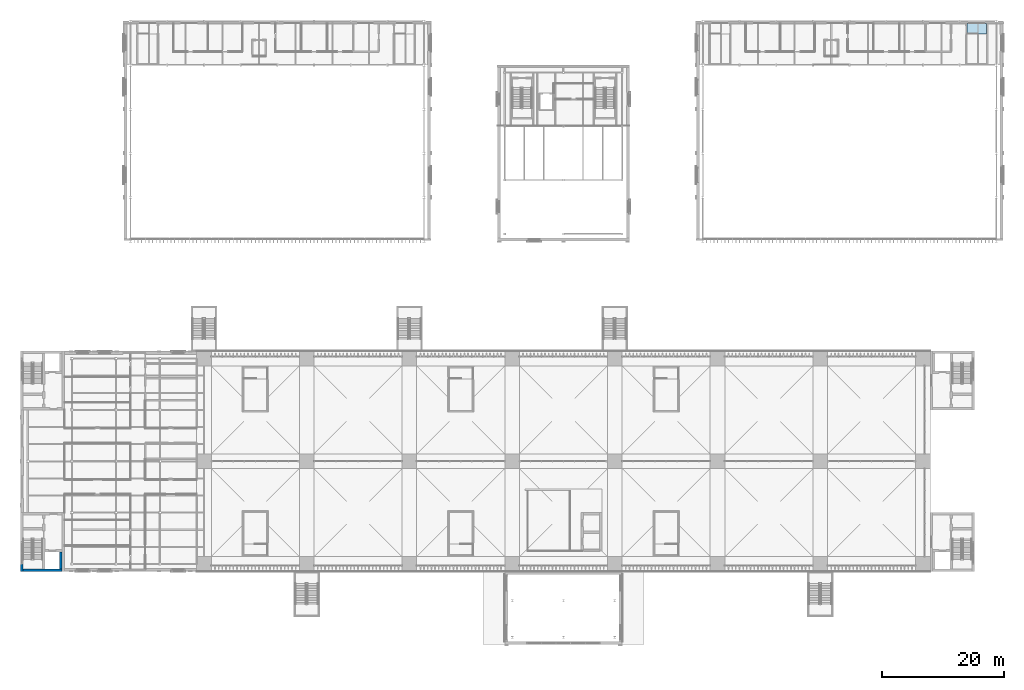
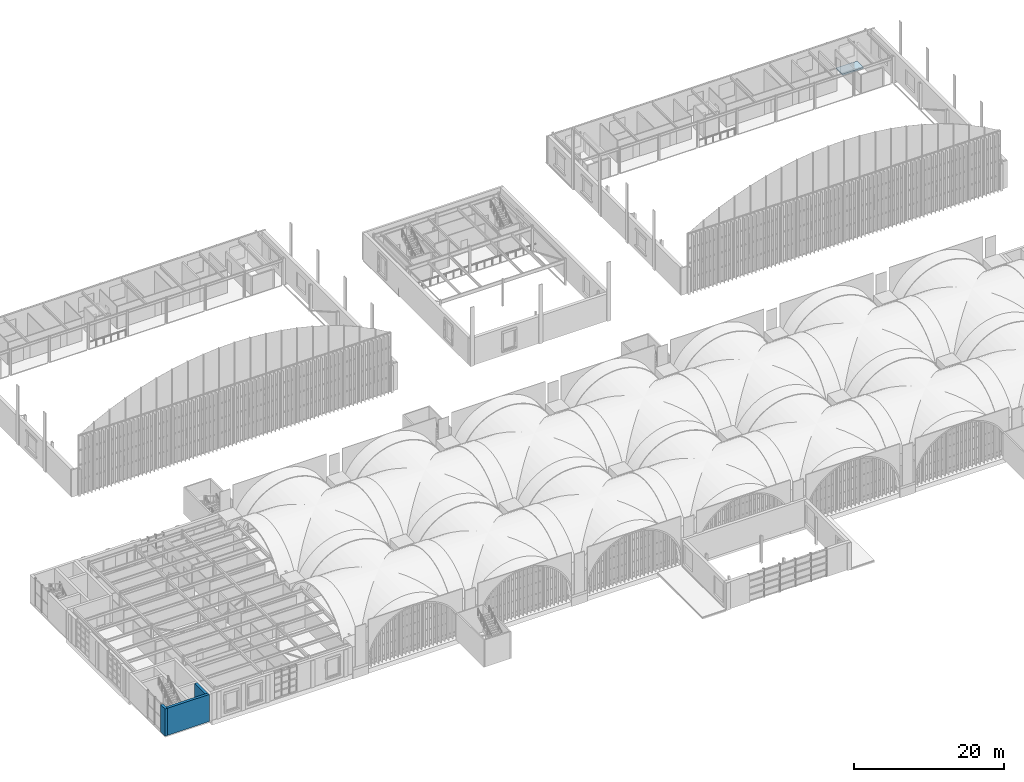
# One storey, part 96 of 169: 3 walls, 1 slab.
"""IFC4 building model written with IfcOpenShell, lengths in metres."""

import ifcopenshell
import ifcopenshell.guid

model = None  # the IFC model being written
_history = None  # IfcOwnerHistory: only IFC2X3 demands one
_inside = {}  # id of a spatial element -> (the spatial element, [elements in it])
_under = {}  # id of a project, library or spatial element -> (it, [spatial elements below it])
_declared = {}  # id of a project -> (the project, [libraries it declares])
_typed = {}  # id of a type object -> (the type object, [elements of that type])
_made_of = {}  # id of a material, layer set ... -> (it, [elements and type objects made of it])


def new_model(schema):
    """Start an empty IFC model of exactly this schema.

    Asked for "IFC4X3", IfcOpenShell would pick the latest addendum, in which some entities
    have other attributes; the version numbers below select the first issue.
    IFC2X3 requires an IfcOwnerHistory on every rooted entity: one is made here for all.
    """
    global model, _history
    if schema == "IFC4X3":
        model = ifcopenshell.file(schema_version=(4, 3, 0, 0))
    else:
        model = ifcopenshell.file(schema=schema)
    _inside.clear()
    _under.clear()
    _declared.clear()
    _typed.clear()
    _made_of.clear()
    _history = None
    if model.schema == "IFC2X3":
        org = make("IfcOrganization", Name="unknown")
        user = make(
            "IfcPersonAndOrganization",
            ThePerson=make("IfcPerson", FamilyName="unknown"),
            TheOrganization=org,
        )
        app = make(
            "IfcApplication",
            ApplicationDeveloper=org,
            Version="unknown",
            ApplicationFullName="unknown",
            ApplicationIdentifier="unknown",
        )
        _history = make(
            "IfcOwnerHistory",
            OwningUser=user,
            OwningApplication=app,
            ChangeAction="ADDED",
            CreationDate=0,
        )
    return model


def make(cls, **values):
    """One entity of the class cls with the attributes given. An attribute that is None is left unset."""
    return model.create_entity(
        cls, **{name: value for name, value in values.items() if value is not None}
    )


def rooted(cls, **values):
    """An entity with a GlobalId (a new one), such as an element, a storey or a relation."""
    return make(cls, GlobalId=ifcopenshell.guid.new(), OwnerHistory=_history, **values)


def si_unit(unit_type, name, prefix=None):
    """IfcSIUnit, for example si_unit("LENGTHUNIT", "METRE", prefix="MILLI")."""
    return make("IfcSIUnit", UnitType=unit_type, Prefix=prefix, Name=name)


def assignment(units):
    """IfcUnitAssignment: the units of a project."""
    return None if units is None else make("IfcUnitAssignment", Units=units)


def point(xyz):
    """IfcCartesianPoint."""
    return None if xyz is None else make("IfcCartesianPoint", Coordinates=xyz)


def direction(xyz):
    """IfcDirection."""
    return None if xyz is None else make("IfcDirection", DirectionRatios=xyz)


def frame(location, z_axis=None, x_axis=None):
    """IfcAxis2Placement3D, a coordinate frame: its origin and axes. An axis left out is left unset."""
    return make(
        "IfcAxis2Placement3D",
        Location=point(location),
        Axis=direction(z_axis),
        RefDirection=direction(x_axis),
    )


def frame_2d(location, x_axis=None):
    """IfcAxis2Placement2D, a coordinate frame in the plane: its origin and x axis."""
    return make(
        "IfcAxis2Placement2D", Location=point(location), RefDirection=direction(x_axis)
    )


def origin():
    """The frame at (0, 0, 0) with its axes left unset."""
    return frame((0.0, 0.0, 0.0))


def place(relative_to, where):
    """IfcLocalPlacement: puts the frame where relative to a parent placement (None: the world)."""
    return make(
        "IfcLocalPlacement", PlacementRelTo=relative_to, RelativePlacement=where
    )


def context(
    kind, dimensions, precision=None, world=None, true_north=None, identifier=None
):
    """IfcGeometricRepresentationContext, for example the 3D "Model" context."""
    return make(
        "IfcGeometricRepresentationContext",
        ContextIdentifier=identifier,
        ContextType=kind,
        CoordinateSpaceDimension=dimensions,
        Precision=precision,
        WorldCoordinateSystem=world,
        TrueNorth=true_north,
    )


def subcontext(parent, identifier, kind, view, scale=None):
    """IfcGeometricRepresentationSubContext, for example "Body" below "Model"."""
    return make(
        "IfcGeometricRepresentationSubContext",
        ContextIdentifier=identifier,
        ContextType=kind,
        ParentContext=parent,
        TargetScale=scale,
        TargetView=view,
    )


def project(units=None, contexts=None):
    """IfcProject with its units and contexts."""
    return rooted(
        "IfcProject",
        Name="project",
        RepresentationContexts=contexts,
        UnitsInContext=assignment(units),
    )


def spatial(cls, under=None, at=None, **own):
    """A site, building, storey or space (cls), placed at a placement, below another one or the project."""
    s = rooted(cls, ObjectPlacement=at, **own)
    if under is not None:
        _under.setdefault(under.id(), (under, []))[1].append(s)
    return s


def polyline(points):
    """IfcPolyline through the points."""
    return make("IfcPolyline", Points=[point(p) for p in points])


def profile(cls, at=None, kind="AREA", **sizes):
    """A parametric profile (cls). Its sizes go by their IFC names, for example OverallWidth=200.0."""
    return make(cls, ProfileType=kind, Position=at, **sizes)


def rectangle(**sizes):
    """IfcRectangleProfileDef."""
    return profile("IfcRectangleProfileDef", **sizes)


def outline(outer, holes=None, kind="AREA"):
    """IfcArbitraryClosedProfileDef: a profile drawn as a closed curve; with holes, ...WithVoids."""
    if holes is None:
        return make("IfcArbitraryClosedProfileDef", ProfileType=kind, OuterCurve=outer)
    return make(
        "IfcArbitraryProfileDefWithVoids",
        ProfileType=kind,
        OuterCurve=outer,
        InnerCurves=holes,
    )


def extrude(swept, where, along, depth):
    """IfcExtrudedAreaSolid: the profile swept, set in the frame where, extruded along a direction by depth."""
    return make(
        "IfcExtrudedAreaSolid",
        SweptArea=swept,
        Position=where,
        ExtrudedDirection=direction(along),
        Depth=depth,
    )


def shape(context_of_items, identifier, shape_type, items):
    """IfcShapeRepresentation: the items that make up one representation, for example the "Body"."""
    return make(
        "IfcShapeRepresentation",
        ContextOfItems=context_of_items,
        RepresentationIdentifier=identifier,
        RepresentationType=shape_type,
        Items=items,
    )


def material(Name=None, Category=None):
    """IfcMaterial."""
    return make("IfcMaterial", Name=Name, Category=Category)


def layer(
    of_material, thickness, ventilated=None, Name=None, Category=None, Priority=None
):
    """IfcMaterialLayer: one layer of a wall or slab, of a material (None: an air gap)."""
    return make(
        "IfcMaterialLayer",
        Material=of_material,
        LayerThickness=thickness,
        IsVentilated=ventilated,
        Name=Name,
        Category=Category,
        Priority=Priority,
    )


def layer_set(layers, Name=None):
    """IfcMaterialLayerSet."""
    return make("IfcMaterialLayerSet", MaterialLayers=layers, LayerSetName=Name)


def made_of(thing, what):
    """Note that an element or type object is made of a material, layer set ...; save() writes the relation."""
    if what is not None:
        _made_of.setdefault(what.id(), (what, []))[1].append(thing)
    return thing


def type_object(cls, material=None, **own):
    """A type object (cls), such as IfcWallType, which elements share."""
    return made_of(rooted(cls, **own), material)


def element(
    cls,
    number,
    at=None,
    inside=None,
    cuts=None,
    type_object=None,
    material=None,
    context=None,
    identifier="Body",
    shape_type=None,
    held_by="IfcProductDefinitionShape",
    body=None,
    shapes=None,
    **own,
):
    """One element of the class cls, such as IfcWall. Its Tag is "e" and its number.

    at: its placement. inside: the storey or other place that contains it. cuts: it is an
    opening in that element (IfcRelVoidsElement). A single representation is given by context,
    identifier, shape_type and body (its items); several are given by shapes. held_by: the class
    of the entity that holds the representations. save() writes the other relations.
    """
    e = rooted(cls, Tag="e%d" % number, ObjectPlacement=at, **own)
    if body is not None:
        shapes = [shape(context, identifier, shape_type, body)]
    if shapes is not None:
        e.Representation = make(held_by, Representations=shapes)
    if inside is not None:
        _inside.setdefault(inside.id(), (inside, []))[1].append(e)
    if cuts is not None:
        rooted(
            "IfcRelVoidsElement", RelatingBuildingElement=cuts, RelatedOpeningElement=e
        )
    if type_object is not None:
        _typed.setdefault(type_object.id(), (type_object, []))[1].append(e)
    return made_of(e, material)


def aggregate(whole, parts):
    """IfcRelAggregates: a whole, such as a stair, and the parts it consists of."""
    return rooted("IfcRelAggregates", RelatingObject=whole, RelatedObjects=parts)


def save(model, path):
    """Write the relations noted so far, then the file.

    IfcRelAggregates (storeys below a building ...), IfcRelContainedInSpatialStructure (elements
    in a storey), IfcRelDefinesByType, IfcRelAssociatesMaterial and IfcRelDeclares: one each for
    every whole, place, type object, material and project.
    """
    for whole, parts in _under.values():
        aggregate(whole, parts)
    for where, things in _inside.values():
        rooted(
            "IfcRelContainedInSpatialStructure",
            RelatedElements=things,
            RelatingStructure=where,
        )
    for kind, things in _typed.values():
        rooted("IfcRelDefinesByType", RelatedObjects=things, RelatingType=kind)
    for what, things in _made_of.values():
        rooted("IfcRelAssociatesMaterial", RelatedObjects=things, RelatingMaterial=what)
    for by, libraries in _declared.values():
        rooted("IfcRelDeclares", RelatingContext=by, RelatedDefinitions=libraries)
    model.write(path)


model = new_model("IFC4")

# Units and contexts
model_context = context("Model", 3, precision=1e-05, world=origin(), true_north=direction((0.0, 1.0)))
body_context = subcontext(model_context, "Body", "Model", "MODEL_VIEW")
ifc_project = project(units=[si_unit("LENGTHUNIT", "METRE"), si_unit("AREAUNIT", "SQUARE_METRE"), si_unit("VOLUMEUNIT", "CUBIC_METRE"), si_unit("PLANEANGLEUNIT", "RADIAN"), si_unit("MASSUNIT", "GRAM", prefix="KILO")], contexts=[model_context])

# Site, building, storey
site_placement = place(None, origin())
site = spatial("IfcSite", under=ifc_project, at=site_placement, CompositionType="ELEMENT")
building_placement = place(site_placement, origin())
building = spatial("IfcBuilding", under=site, at=building_placement, Name="Verrick Yard Athletic Hall", CompositionType="ELEMENT")
storey_placement = place(building_placement, frame((0.0, 0.0, 4.39990234375)))
storey = spatial("IfcBuildingStorey", under=building, at=storey_placement, Name="L01", CompositionType="ELEMENT", Elevation=4.39990234375)

# Slab
ifc_material = material(Name="Concrete 35 MPa", Category="concrete")
ifc_layer_1 = layer(ifc_material, 0.199951171875)
ifc_layer_set_1 = layer_set([ifc_layer_1], Name="Core floor slab 200")
slab_type = type_object("IfcSlabType", Name="Core floor slab 200", PredefinedType="FLOOR", material=ifc_layer_set_1)
slab_placement = place(storey_placement, frame((0.0, 0.0, -0.199951171875)))
element("IfcSlab", 1, at=slab_placement, inside=storey, type_object=slab_type, Name="CORE-HA-E-NL-L01", PredefinedType="FLOOR", context=body_context, shape_type="SweptSolid", body=[
    extrude(outline(polyline([(164.800048828125, 107.58154296875), (164.800048828125, 105.875), (168.0, 105.875), (168.0, 107.58154296875), (164.800048828125, 107.58154296875)])), origin(), (0.0, 0.0, 1.0), 0.199951171875),
])

# Walls
ifc_layer_2 = layer(ifc_material, 0.39990234375)
ifc_layer_set_2 = layer_set([ifc_layer_2], Name="Core wall CR400")
wall_type_1 = type_object("IfcWallType", Name="Core wall CR400", PredefinedType="SHEAR", material=ifc_layer_set_2)
wall_1_placement = place(storey_placement, frame((16.60009765625, 18.39990234375, 0.0), z_axis=(0.0, 0.0, 1.0), x_axis=(0.0, 1.0, 0.0)))
element("IfcWall", 2, at=wall_1_placement, inside=storey, type_object=wall_type_1, Name="CORE-CB1-WLE-L01", PredefinedType="SHEAR", context=body_context, shape_type="SweptSolid", body=[
    extrude(rectangle(XDim=2.800048828125, YDim=0.39990234375, at=frame_2d((1.39990234375, 0.0))), origin(), (0.0, 0.0, 1.0), 4.400146484375),
])
ifc_layer_3 = layer(ifc_material, 0.39990234375)
ifc_layer_set_3 = layer_set([ifc_layer_3], Name="External core wall CR400")
wall_type_2 = type_object("IfcWallType", Name="External core wall CR400", PredefinedType="SHEAR", material=ifc_layer_set_3)
wall_2_placement = place(storey_placement, frame((10.199951171875, 18.0, 0.0), z_axis=(0.0, 0.0, 1.0), x_axis=(0.0, 1.0, 0.0)))
element("IfcWall", 3, at=wall_2_placement, inside=storey, type_object=wall_type_2, Name="CORE-CB1-WW-L01-0", PredefinedType="SHEAR", context=body_context, shape_type="SweptSolid", body=[
    extrude(rectangle(XDim=1.199951171875, YDim=0.39990234375, at=frame_2d((0.60009765625, 0.0))), origin(), (0.0, 0.0, 1.0), 4.400146484375),
])
wall_3_placement = place(storey_placement, frame((10.39990234375, 18.199951171875, 0.0), z_axis=(0.0, 0.0, 1.0), x_axis=(1.0, 0.0, 0.0)))
element("IfcWall", 4, at=wall_3_placement, inside=storey, type_object=wall_type_2, Name="CORE-CB1-WS-L01", PredefinedType="SHEAR", context=body_context, shape_type="SweptSolid", body=[
    extrude(rectangle(XDim=6.400146484375, YDim=0.39990234375, at=frame_2d((3.2001953125, 0.0))), origin(), (0.0, 0.0, 1.0), 4.400146484375),
])

save(model, "model.ifc")
